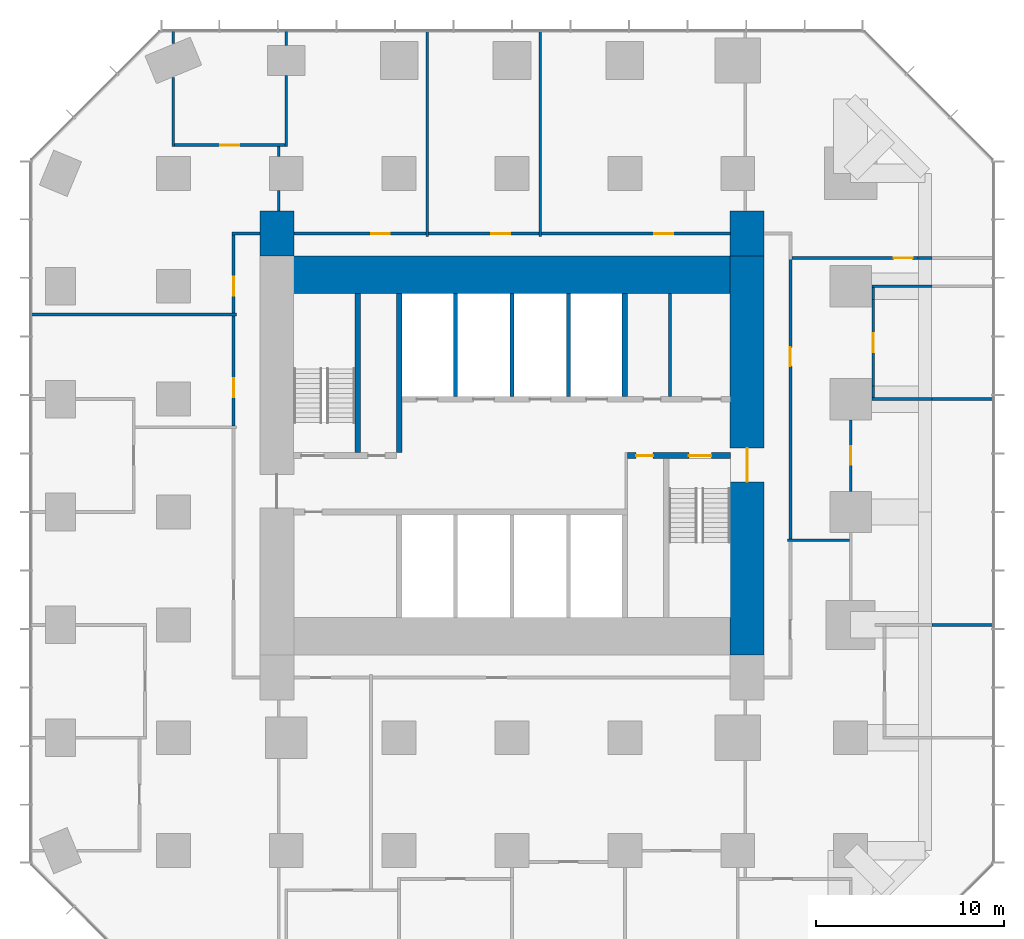
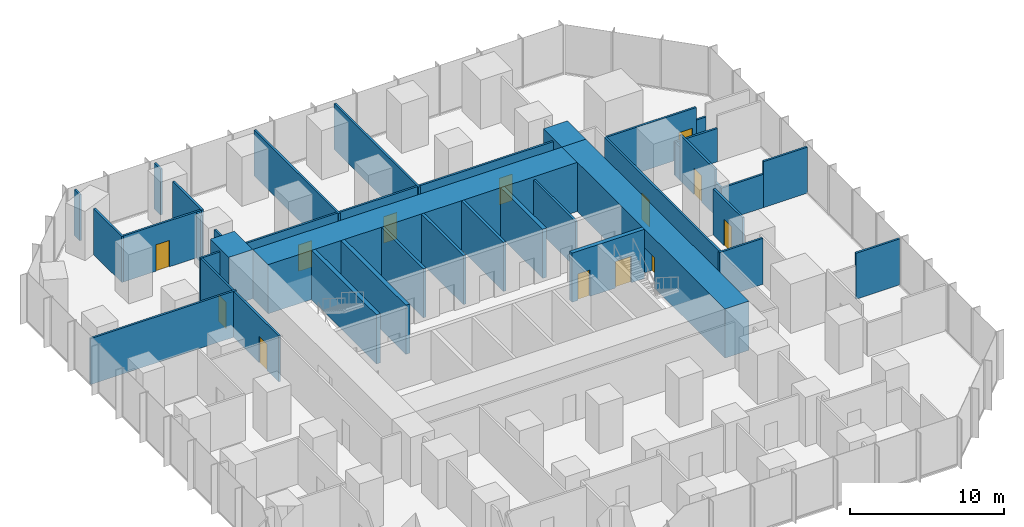
# One storey, part 10 of 12: 40 walls, 13 doors, 13 openings.
"""IFC4 building model written with IfcOpenShell, lengths in metres."""

import ifcopenshell
import ifcopenshell.guid

model = None  # the IFC model being written
_history = None  # IfcOwnerHistory: only IFC2X3 demands one
_inside = {}  # id of a spatial element -> (the spatial element, [elements in it])
_under = {}  # id of a project, library or spatial element -> (it, [spatial elements below it])
_declared = {}  # id of a project -> (the project, [libraries it declares])
_typed = {}  # id of a type object -> (the type object, [elements of that type])
_made_of = {}  # id of a material, layer set ... -> (it, [elements and type objects made of it])


def new_model(schema):
    """Start an empty IFC model of exactly this schema.

    Asked for "IFC4X3", IfcOpenShell would pick the latest addendum, in which some entities
    have other attributes; the version numbers below select the first issue.
    IFC2X3 requires an IfcOwnerHistory on every rooted entity: one is made here for all.
    """
    global model, _history
    if schema == "IFC4X3":
        model = ifcopenshell.file(schema_version=(4, 3, 0, 0))
    else:
        model = ifcopenshell.file(schema=schema)
    _inside.clear()
    _under.clear()
    _declared.clear()
    _typed.clear()
    _made_of.clear()
    _history = None
    if model.schema == "IFC2X3":
        org = make("IfcOrganization", Name="unknown")
        user = make(
            "IfcPersonAndOrganization",
            ThePerson=make("IfcPerson", FamilyName="unknown"),
            TheOrganization=org,
        )
        app = make(
            "IfcApplication",
            ApplicationDeveloper=org,
            Version="unknown",
            ApplicationFullName="unknown",
            ApplicationIdentifier="unknown",
        )
        _history = make(
            "IfcOwnerHistory",
            OwningUser=user,
            OwningApplication=app,
            ChangeAction="ADDED",
            CreationDate=0,
        )
    return model


def make(cls, **values):
    """One entity of the class cls with the attributes given. An attribute that is None is left unset."""
    return model.create_entity(
        cls, **{name: value for name, value in values.items() if value is not None}
    )


def rooted(cls, **values):
    """An entity with a GlobalId (a new one), such as an element, a storey or a relation."""
    return make(cls, GlobalId=ifcopenshell.guid.new(), OwnerHistory=_history, **values)


def si_unit(unit_type, name, prefix=None):
    """IfcSIUnit, for example si_unit("LENGTHUNIT", "METRE", prefix="MILLI")."""
    return make("IfcSIUnit", UnitType=unit_type, Prefix=prefix, Name=name)


def assignment(units):
    """IfcUnitAssignment: the units of a project."""
    return None if units is None else make("IfcUnitAssignment", Units=units)


def point(xyz):
    """IfcCartesianPoint."""
    return None if xyz is None else make("IfcCartesianPoint", Coordinates=xyz)


def direction(xyz):
    """IfcDirection."""
    return None if xyz is None else make("IfcDirection", DirectionRatios=xyz)


def frame(location, z_axis=None, x_axis=None):
    """IfcAxis2Placement3D, a coordinate frame: its origin and axes. An axis left out is left unset."""
    return make(
        "IfcAxis2Placement3D",
        Location=point(location),
        Axis=direction(z_axis),
        RefDirection=direction(x_axis),
    )


def frame_2d(location, x_axis=None):
    """IfcAxis2Placement2D, a coordinate frame in the plane: its origin and x axis."""
    return make(
        "IfcAxis2Placement2D", Location=point(location), RefDirection=direction(x_axis)
    )


def origin():
    """The frame at (0, 0, 0) with its axes left unset."""
    return frame((0.0, 0.0, 0.0))


def place(relative_to, where):
    """IfcLocalPlacement: puts the frame where relative to a parent placement (None: the world)."""
    return make(
        "IfcLocalPlacement", PlacementRelTo=relative_to, RelativePlacement=where
    )


def context(
    kind, dimensions, precision=None, world=None, true_north=None, identifier=None
):
    """IfcGeometricRepresentationContext, for example the 3D "Model" context."""
    return make(
        "IfcGeometricRepresentationContext",
        ContextIdentifier=identifier,
        ContextType=kind,
        CoordinateSpaceDimension=dimensions,
        Precision=precision,
        WorldCoordinateSystem=world,
        TrueNorth=true_north,
    )


def subcontext(parent, identifier, kind, view, scale=None):
    """IfcGeometricRepresentationSubContext, for example "Body" below "Model"."""
    return make(
        "IfcGeometricRepresentationSubContext",
        ContextIdentifier=identifier,
        ContextType=kind,
        ParentContext=parent,
        TargetScale=scale,
        TargetView=view,
    )


def project(units=None, contexts=None):
    """IfcProject with its units and contexts."""
    return rooted(
        "IfcProject",
        Name="project",
        RepresentationContexts=contexts,
        UnitsInContext=assignment(units),
    )


def spatial(cls, under=None, at=None, **own):
    """A site, building, storey or space (cls), placed at a placement, below another one or the project."""
    s = rooted(cls, ObjectPlacement=at, **own)
    if under is not None:
        _under.setdefault(under.id(), (under, []))[1].append(s)
    return s


def profile(cls, at=None, kind="AREA", **sizes):
    """A parametric profile (cls). Its sizes go by their IFC names, for example OverallWidth=200.0."""
    return make(cls, ProfileType=kind, Position=at, **sizes)


def rectangle(**sizes):
    """IfcRectangleProfileDef."""
    return profile("IfcRectangleProfileDef", **sizes)


def extrude(swept, where, along, depth):
    """IfcExtrudedAreaSolid: the profile swept, set in the frame where, extruded along a direction by depth."""
    return make(
        "IfcExtrudedAreaSolid",
        SweptArea=swept,
        Position=where,
        ExtrudedDirection=direction(along),
        Depth=depth,
    )


def shape(context_of_items, identifier, shape_type, items):
    """IfcShapeRepresentation: the items that make up one representation, for example the "Body"."""
    return make(
        "IfcShapeRepresentation",
        ContextOfItems=context_of_items,
        RepresentationIdentifier=identifier,
        RepresentationType=shape_type,
        Items=items,
    )


def material(Name=None, Category=None):
    """IfcMaterial."""
    return make("IfcMaterial", Name=Name, Category=Category)


def layer(
    of_material, thickness, ventilated=None, Name=None, Category=None, Priority=None
):
    """IfcMaterialLayer: one layer of a wall or slab, of a material (None: an air gap)."""
    return make(
        "IfcMaterialLayer",
        Material=of_material,
        LayerThickness=thickness,
        IsVentilated=ventilated,
        Name=Name,
        Category=Category,
        Priority=Priority,
    )


def layer_set(layers, Name=None):
    """IfcMaterialLayerSet."""
    return make("IfcMaterialLayerSet", MaterialLayers=layers, LayerSetName=Name)


def made_of(thing, what):
    """Note that an element or type object is made of a material, layer set ...; save() writes the relation."""
    if what is not None:
        _made_of.setdefault(what.id(), (what, []))[1].append(thing)
    return thing


def type_object(cls, material=None, **own):
    """A type object (cls), such as IfcWallType, which elements share."""
    return made_of(rooted(cls, **own), material)


def element(
    cls,
    number,
    at=None,
    inside=None,
    cuts=None,
    type_object=None,
    material=None,
    context=None,
    identifier="Body",
    shape_type=None,
    held_by="IfcProductDefinitionShape",
    body=None,
    shapes=None,
    **own,
):
    """One element of the class cls, such as IfcWall. Its Tag is "e" and its number.

    at: its placement. inside: the storey or other place that contains it. cuts: it is an
    opening in that element (IfcRelVoidsElement). A single representation is given by context,
    identifier, shape_type and body (its items); several are given by shapes. held_by: the class
    of the entity that holds the representations. save() writes the other relations.
    """
    e = rooted(cls, Tag="e%d" % number, ObjectPlacement=at, **own)
    if body is not None:
        shapes = [shape(context, identifier, shape_type, body)]
    if shapes is not None:
        e.Representation = make(held_by, Representations=shapes)
    if inside is not None:
        _inside.setdefault(inside.id(), (inside, []))[1].append(e)
    if cuts is not None:
        rooted(
            "IfcRelVoidsElement", RelatingBuildingElement=cuts, RelatedOpeningElement=e
        )
    if type_object is not None:
        _typed.setdefault(type_object.id(), (type_object, []))[1].append(e)
    return made_of(e, material)


def fill(opening, filler):
    """IfcRelFillsElement: the door or window that sits in an opening."""
    return rooted(
        "IfcRelFillsElement",
        RelatingOpeningElement=opening,
        RelatedBuildingElement=filler,
    )


def aggregate(whole, parts):
    """IfcRelAggregates: a whole, such as a stair, and the parts it consists of."""
    return rooted("IfcRelAggregates", RelatingObject=whole, RelatedObjects=parts)


def save(model, path):
    """Write the relations noted so far, then the file.

    IfcRelAggregates (storeys below a building ...), IfcRelContainedInSpatialStructure (elements
    in a storey), IfcRelDefinesByType, IfcRelAssociatesMaterial and IfcRelDeclares: one each for
    every whole, place, type object, material and project.
    """
    for whole, parts in _under.values():
        aggregate(whole, parts)
    for where, things in _inside.values():
        rooted(
            "IfcRelContainedInSpatialStructure",
            RelatedElements=things,
            RelatingStructure=where,
        )
    for kind, things in _typed.values():
        rooted("IfcRelDefinesByType", RelatedObjects=things, RelatingType=kind)
    for what, things in _made_of.values():
        rooted("IfcRelAssociatesMaterial", RelatedObjects=things, RelatingMaterial=what)
    for by, libraries in _declared.values():
        rooted("IfcRelDeclares", RelatingContext=by, RelatedDefinitions=libraries)
    model.write(path)


model = new_model("IFC4")

# Units and contexts
model_context = context("Model", 3, precision=1e-05, world=origin(), true_north=direction((0.0, 1.0)))
body_context = subcontext(model_context, "Body", "Model", "MODEL_VIEW")
ifc_project = project(units=[si_unit("LENGTHUNIT", "METRE"), si_unit("AREAUNIT", "SQUARE_METRE"), si_unit("VOLUMEUNIT", "CUBIC_METRE"), si_unit("PLANEANGLEUNIT", "RADIAN"), si_unit("MASSUNIT", "GRAM", prefix="KILO")], contexts=[model_context])

# Site, building, storey
site_placement = place(None, origin())
site = spatial("IfcSite", under=ifc_project, at=site_placement, CompositionType="ELEMENT")
building_placement = place(site_placement, origin())
building = spatial("IfcBuilding", under=site, at=building_placement, Name="Highveld Stack Headquarters", CompositionType="ELEMENT")
storey_placement = place(building_placement, frame((0.0, 0.0, 49.39990234375)))
storey = spatial("IfcBuildingStorey", under=building, at=storey_placement, Name="L11", CompositionType="ELEMENT", Elevation=49.39990234375)

# Wall, opening, door
ifc_material_1 = material(Name="Concrete C60/75", Category="concrete")
ifc_layer_1 = layer(ifc_material_1, 1.800048828125)
ifc_layer_set_1 = layer_set([ifc_layer_1], Name="Concrete C60/75")
wall_type_1 = type_object("IfcWallType", Name="CORE WALL 1800 C60/75", PredefinedType="SHEAR", material=ifc_layer_set_1)
wall_1_placement = place(storey_placement, frame((18.5, -7.60009765625, 0.0), z_axis=(0.0, 0.0, 1.0), x_axis=(0.0, 1.0, 0.0)))
wall_1 = element("IfcWall", 1, at=wall_1_placement, inside=storey, type_object=wall_type_1, Name="Core wall E L11", PredefinedType="SHEAR", context=body_context, shape_type="SweptSolid", body=[
    extrude(rectangle(XDim=21.2001953125, YDim=1.800048828125, at=frame_2d((10.60009765625, 0.0))), origin(), (0.0, 0.0, 1.0), 3.900146484375),
])
opening_1_placement = place(wall_1_placement, frame((9.199951171875, 0.0, 0.0)))
opening_1 = element("IfcOpeningElement", 2, at=opening_1_placement, cuts=wall_1, Name="Opening L11-02", PredefinedType="OPENING", context=body_context, shape_type="SweptSolid", body=[
    extrude(rectangle(XDim=1.800048828125, YDim=2.39990234375, at=frame_2d((0.89990234375, 1.199951171875))), frame((0.0, 0.909912109375, 0.0), z_axis=(0.0, -1.0, 0.0), x_axis=(1.0, 0.0, 0.0)), (0.0, 0.0, 1.0), 1.820068359375),
])
ifc_material_2 = material(Name="Steel fire door", Category="steel")
door_type_1 = type_object("IfcDoorType", Name="LOBBY FIRE DOOR D4 1800x2400", OperationType="DOUBLE_DOOR_SINGLE_SWING", PredefinedType="DOOR", material=ifc_material_2)
door_1_placement = place(opening_1_placement, origin())
door_1 = element("IfcDoor", 3, at=door_1_placement, inside=storey, type_object=door_type_1, Name="Core east door L11", OperationType="DOUBLE_DOOR_SINGLE_SWING", OverallHeight=2.39990234375, OverallWidth=1.800048828125, PredefinedType="DOOR", context=body_context, shape_type="SweptSolid", body=[
    extrude(rectangle(XDim=1.800048828125, YDim=2.39990234375, at=frame_2d((0.89990234375, 1.199951171875))), frame((0.0, 0.02490234375, 0.0), z_axis=(0.0, -1.0, 0.0), x_axis=(1.0, 0.0, 0.0)), (0.0, 0.0, 1.0), 0.050048828125),
])
fill(opening_1, door_1)

# Wall
ifc_material_3 = material(Name="Concrete C60/75", Category="concrete")
ifc_layer_2 = layer(ifc_material_3, 2.0)
ifc_layer_set_2 = layer_set([ifc_layer_2], Name="Concrete C60/75")
wall_type_2 = type_object("IfcWallType", Name="CORE WALL 2000 C60/75", PredefinedType="SHEAR", material=ifc_layer_set_2)
wall_2_placement = place(storey_placement, frame((-5.60009765625, 12.60009765625, 0.0), z_axis=(0.0, 0.0, 1.0), x_axis=(1.0, 0.0, 0.0)))
element("IfcWall", 4, at=wall_2_placement, inside=storey, type_object=wall_type_2, Name="Core wall N L11", PredefinedType="SHEAR", context=body_context, shape_type="SweptSolid", body=[
    extrude(rectangle(XDim=23.2001953125, YDim=2.0, at=frame_2d((11.60009765625, 0.0))), origin(), (0.0, 0.0, 1.0), 3.900146484375),
])

# Wall, openings, doors
ifc_material_4 = material(Name="Concrete C60/75", Category="concrete")
ifc_layer_3 = layer(ifc_material_4, 0.300048828125)
ifc_layer_set_3 = layer_set([ifc_layer_3], Name="Concrete C60/75")
wall_type_3 = type_object("IfcWallType", Name="CORE WALL 300 C60/75", PredefinedType="SHEAR", material=ifc_layer_set_3)
wall_3_placement = place(storey_placement, frame((12.14990234375, 3.0, 0.0), z_axis=(0.0, 0.0, 1.0), x_axis=(1.0, 0.0, 0.0)))
wall_3 = element("IfcWall", 5, at=wall_3_placement, inside=storey, type_object=wall_type_3, Name="Core wall I-Y3E L11", PredefinedType="SHEAR", context=body_context, shape_type="SweptSolid", body=[
    extrude(rectangle(XDim=5.4501953125, YDim=0.300048828125, at=frame_2d((2.72509765625, 0.0))), origin(), (0.0, 0.0, 1.0), 3.900146484375),
])
opening_2_placement = place(wall_3_placement, frame((3.25, 0.0, 0.0)))
opening_2 = element("IfcOpeningElement", 6, at=opening_2_placement, cuts=wall_3, Name="Opening L11-05", PredefinedType="OPENING", context=body_context, shape_type="SweptSolid", body=[
    extrude(rectangle(XDim=1.199951171875, YDim=2.10009765625, at=frame_2d((0.60009765625, 1.050048828125))), frame((0.0, 0.159912109375, 0.0), z_axis=(0.0, -1.0, 0.0), x_axis=(1.0, 0.0, 0.0)), (0.0, 0.0, 1.0), 0.320068359375),
])
opening_3_placement = place(wall_3_placement, frame((0.449951171875, 0.0, 0.0)))
opening_3 = element("IfcOpeningElement", 7, at=opening_3_placement, cuts=wall_3, Name="Opening L11-06", PredefinedType="OPENING", context=body_context, shape_type="SweptSolid", body=[
    extrude(rectangle(XDim=0.89990234375, YDim=2.10009765625, at=frame_2d((0.449951171875, 1.050048828125))), frame((0.0, 0.159912109375, 0.0), z_axis=(0.0, -1.0, 0.0), x_axis=(1.0, 0.0, 0.0)), (0.0, 0.0, 1.0), 0.320068359375),
])
ifc_material_5 = material(Name="Steel fire door", Category="steel")
door_type_2 = type_object("IfcDoorType", Name="RISER ACCESS DOOR D5 900x2100", OperationType="SINGLE_SWING_LEFT", PredefinedType="DOOR", material=ifc_material_5)
door_2_placement = place(opening_3_placement, origin())
door_2 = element("IfcDoor", 8, at=door_2_placement, inside=storey, type_object=door_type_2, Name="Riser R2 door L11", OperationType="SINGLE_SWING_LEFT", OverallHeight=2.10009765625, OverallWidth=0.89990234375, PredefinedType="DOOR", context=body_context, shape_type="SweptSolid", body=[
    extrude(rectangle(XDim=0.89990234375, YDim=2.10009765625, at=frame_2d((0.449951171875, 1.050048828125))), frame((0.0, 0.02490234375, 0.0), z_axis=(0.0, -1.0, 0.0), x_axis=(1.0, 0.0, 0.0)), (0.0, 0.0, 1.0), 0.050048828125),
])
fill(opening_3, door_2)
ifc_material_6 = material(Name="Steel fire door", Category="steel")
door_type_3 = type_object("IfcDoorType", Name="STAIR FIRE DOOR D3 1200x2100", OperationType="SINGLE_SWING_LEFT", PredefinedType="DOOR", material=ifc_material_6)
door_3_placement = place(opening_2_placement, origin())
door_3 = element("IfcDoor", 9, at=door_3_placement, inside=storey, type_object=door_type_3, Name="Stair S2 door L11", OperationType="SINGLE_SWING_RIGHT", OverallHeight=2.10009765625, OverallWidth=1.199951171875, PredefinedType="DOOR", context=body_context, shape_type="SweptSolid", body=[
    extrude(rectangle(XDim=1.199951171875, YDim=2.10009765625, at=frame_2d((0.60009765625, 1.050048828125))), frame((0.0, 0.02490234375, 0.0), z_axis=(0.0, -1.0, 0.0), x_axis=(1.0, 0.0, 0.0)), (0.0, 0.0, 1.0), 0.050048828125),
])
fill(opening_2, door_3)

# Walls
wall_4_placement = place(storey_placement, frame((0.0, 3.14990234375, 0.0), z_axis=(0.0, 0.0, 1.0), x_axis=(0.0, 1.0, 0.0)))
element("IfcWall", 10, at=wall_4_placement, inside=storey, type_object=wall_type_3, Name="Core wall I-X0N L11", PredefinedType="SHEAR", context=body_context, shape_type="SweptSolid", body=[
    extrude(rectangle(XDim=8.4501953125, YDim=0.300048828125, at=frame_2d((4.22509765625, 0.0))), origin(), (0.0, 0.0, 1.0), 3.900146484375),
])
wall_5_placement = place(storey_placement, frame((12.0, 6.14990234375, 0.0), z_axis=(0.0, 0.0, 1.0), x_axis=(0.0, 1.0, 0.0)))
element("IfcWall", 11, at=wall_5_placement, inside=storey, type_object=wall_type_3, Name="Core wall I-X12N L11", PredefinedType="SHEAR", context=body_context, shape_type="SweptSolid", body=[
    extrude(rectangle(XDim=5.4501953125, YDim=0.300048828125, at=frame_2d((2.72509765625, 0.0))), origin(), (0.0, 0.0, 1.0), 3.900146484375),
])
wall_6_placement = place(storey_placement, frame((-2.199951171875, 3.14990234375, 0.0), z_axis=(0.0, 0.0, 1.0), x_axis=(0.0, 1.0, 0.0)))
element("IfcWall", 12, at=wall_6_placement, inside=storey, type_object=wall_type_3, Name="Core wall I-RW L11", PredefinedType="SHEAR", context=body_context, shape_type="SweptSolid", body=[
    extrude(rectangle(XDim=8.4501953125, YDim=0.300048828125, at=frame_2d((4.22509765625, 0.0))), origin(), (0.0, 0.0, 1.0), 3.900146484375),
])
ifc_material_7 = material(Name="Concrete C60/75", Category="concrete")
ifc_layer_4 = layer(ifc_material_7, 1.800048828125)
ifc_layer_set_4 = layer_set([ifc_layer_4], Name="Concrete C60/75")
wall_type_4 = type_object("IfcWallType", Name="CORE WING WALL 1800 C60/75", PredefinedType="SHEAR", material=ifc_layer_set_4)
for number, where, z_axis, x_axis, name in (
    (13, (-6.5, 13.60009765625, 0.0), (0.0, 0.0, 1.0), (0.0, 1.0, 0.0), "Core wing wall WN L11"),
    (14, (18.5, 13.60009765625, 0.0), (0.0, 0.0, 1.0), (0.0, 1.0, 0.0), "Core wing wall EN L11"),
):
    element("IfcWall", number, at=place(storey_placement, frame(where, z_axis=z_axis, x_axis=x_axis)), inside=storey, type_object=wall_type_4, Name=name, PredefinedType="SHEAR", context=body_context, shape_type="SweptSolid", body=[
        extrude(rectangle(XDim=2.39990234375, YDim=1.800048828125, at=frame_2d((1.199951171875, 0.0))), origin(), (0.0, 0.0, 1.0), 3.900146484375),
    ])
ifc_material_8 = material(Name="Concrete blockwork, fair-faced", Category="masonry")
ifc_layer_5 = layer(ifc_material_8, 0.199951171875)
ifc_layer_set_5 = layer_set([ifc_layer_5], Name="Concrete blockwork, fair-faced")
wall_type_5 = type_object("IfcWallType", Name="LIFT SHAFT ENCLOSURE WALL 200 BLOCKWORK", PredefinedType="SOLIDWALL", material=ifc_layer_set_5)
for number, where, z_axis, x_axis, name in (
    (15, (3.0, 6.14990234375, 0.0), (0.0, 0.0, 1.0), (0.0, 1.0, 0.0), "Lift shaft wall L11"),
    (16, (6.0, 6.14990234375, 0.0), (0.0, 0.0, 1.0), (0.0, 1.0, 0.0), "Lift shaft wall L11"),
    (17, (9.0, 6.14990234375, 0.0), (0.0, 0.0, 1.0), (0.0, 1.0, 0.0), "Lift shaft wall L11"),
):
    element("IfcWall", number, at=place(storey_placement, frame(where, z_axis=z_axis, x_axis=x_axis)), inside=storey, type_object=wall_type_5, Name=name, PredefinedType="SOLIDWALL", context=body_context, shape_type="SweptSolid", body=[
        extrude(rectangle(XDim=5.4501953125, YDim=0.199951171875, at=frame_2d((2.72509765625, 0.0))), origin(), (0.0, 0.0, 1.0), 3.900146484375),
    ])
ifc_material_9 = material(Name="Gypsum plasterboard on steel studs", Category="steel")
ifc_layer_6 = layer(ifc_material_9, 0.14990234375)
ifc_layer_set_6 = layer_set([ifc_layer_6], Name="Gypsum plasterboard on steel studs")
wall_type_6 = type_object("IfcWallType", Name="PARTITION 150 PLASTERBOARD", PredefinedType="PARTITIONING", material=ifc_layer_set_6)
wall_7_placement = place(storey_placement, frame((28.31005859375, -6.0, 0.0), z_axis=(0.0, 0.0, 1.0), x_axis=(1.0, 0.0, 0.0)))
element("IfcWall", 18, at=wall_7_placement, inside=storey, type_object=wall_type_6, Name="Partition Print room / Team office L11", PredefinedType="PARTITIONING", context=body_context, shape_type="SweptSolid", body=[
    extrude(rectangle(XDim=3.2900390625, YDim=0.14990234375, at=frame_2d((1.64501953125, 0.0))), origin(), (0.0, 0.0, 1.0), 3.650146484375),
])
wall_8_placement = place(storey_placement, frame((25.125, 6.0, 0.0), z_axis=(0.0, 0.0, 1.0), x_axis=(1.0, 0.0, 0.0)))
element("IfcWall", 19, at=wall_8_placement, inside=storey, type_object=wall_type_6, Name="Partition Tea kitchen / Team office L11", PredefinedType="PARTITIONING", context=body_context, shape_type="SweptSolid", body=[
    extrude(rectangle(XDim=3.18505859375, YDim=0.14990234375, at=frame_2d((1.592529296875, 0.0))), origin(), (0.0, 0.0, 1.0), 2.650146484375),
])
wall_9_placement = place(storey_placement, frame((28.31005859375, 6.0, 0.0), z_axis=(0.0, 0.0, 1.0), x_axis=(1.0, 0.0, 0.0)))
element("IfcWall", 20, at=wall_9_placement, inside=storey, type_object=wall_type_6, Name="Partition Tea kitchen / Team office L11", PredefinedType="PARTITIONING", context=body_context, shape_type="SweptSolid", body=[
    extrude(rectangle(XDim=3.2900390625, YDim=0.14990234375, at=frame_2d((1.64501953125, 0.0))), origin(), (0.0, 0.0, 1.0), 3.650146484375),
])
wall_10_placement = place(storey_placement, frame((25.125, 12.0, 0.0), z_axis=(0.0, 0.0, 1.0), x_axis=(1.0, 0.0, 0.0)))
element("IfcWall", 21, at=wall_10_placement, inside=storey, type_object=wall_type_6, Name="Partition Tea kitchen L11", PredefinedType="PARTITIONING", context=body_context, shape_type="SweptSolid", body=[
    extrude(rectangle(XDim=3.18505859375, YDim=0.14990234375, at=frame_2d((1.592529296875, 0.0))), origin(), (0.0, 0.0, 1.0), 2.650146484375),
])

# Wall, opening, door
wall_11_placement = place(storey_placement, frame((-11.925048828125, 19.5, 0.0), z_axis=(0.0, 0.0, 1.0), x_axis=(1.0, 0.0, 0.0)))
wall_11 = element("IfcWall", 22, at=wall_11_placement, inside=storey, type_object=wall_type_6, Name="Partition Quiet room L11", PredefinedType="PARTITIONING", context=body_context, shape_type="SweptSolid", body=[
    extrude(rectangle(XDim=5.85009765625, YDim=0.14990234375, at=frame_2d((2.925048828125, 0.0))), origin(), (0.0, 0.0, 1.0), 3.650146484375),
])
opening_4_placement = place(wall_11_placement, frame((2.425048828125, 0.0, 0.0)))
opening_4 = element("IfcOpeningElement", 23, at=opening_4_placement, cuts=wall_11, Name="Opening L11-21", PredefinedType="OPENING", context=body_context, shape_type="SweptSolid", body=[
    extrude(rectangle(XDim=1.0, YDim=2.10009765625, at=frame_2d((0.5, 1.050048828125))), frame((0.0, 0.0849609375, 0.0), z_axis=(0.0, -1.0, 0.0), x_axis=(1.0, 0.0, 0.0)), (0.0, 0.0, 1.0), 0.169921875),
])
ifc_material_10 = material(Name="Timber door, oiled ash", Category="wood")
door_type_4 = type_object("IfcDoorType", Name="ROOM DOOR D6 1000x2100", OperationType="SINGLE_SWING_LEFT", PredefinedType="DOOR", material=ifc_material_10)
door_4_placement = place(opening_4_placement, origin())
door_4 = element("IfcDoor", 24, at=door_4_placement, inside=storey, type_object=door_type_4, Name="Quiet room door 1 L11", OperationType="SINGLE_SWING_RIGHT", OverallHeight=2.10009765625, OverallWidth=1.0, PredefinedType="DOOR", context=body_context, shape_type="SweptSolid", body=[
    extrude(rectangle(XDim=1.0, YDim=2.10009765625, at=frame_2d((0.5, 1.050048828125))), frame((0.0, 0.02490234375, 0.0), z_axis=(0.0, -1.0, 0.0), x_axis=(1.0, 0.0, 0.0)), (0.0, 0.0, 1.0), 0.050048828125),
])
fill(opening_4, door_4)

# Walls
wall_12_placement = place(storey_placement, frame((-12.0, 19.425048828125, 0.0), z_axis=(0.0, 0.0, 1.0), x_axis=(0.0, 1.0, 0.0)))
element("IfcWall", 25, at=wall_12_placement, inside=storey, type_object=wall_type_6, Name="Partition Quiet room L11", PredefinedType="PARTITIONING", context=body_context, shape_type="SweptSolid", body=[
    extrude(rectangle(XDim=3.677978515625, YDim=0.14990234375, at=frame_2d((1.8388671875, 0.0))), origin(), (0.0, 0.0, 1.0), 3.650146484375),
])
wall_13_placement = place(storey_placement, frame((-12.0, 24.89697265625, 0.0), z_axis=(0.0, 0.0, 1.0), x_axis=(0.0, 1.0, 0.0)))
element("IfcWall", 26, at=wall_13_placement, inside=storey, type_object=wall_type_6, Name="Partition Quiet room L11", PredefinedType="PARTITIONING", context=body_context, shape_type="SweptSolid", body=[
    extrude(rectangle(XDim=0.703125, YDim=0.14990234375, at=frame_2d((0.3515625, 0.0))), origin(), (0.0, 0.0, 1.0), 3.650146484375),
])
wall_14_placement = place(storey_placement, frame((-6.0, 19.425048828125, 0.0), z_axis=(0.0, 0.0, 1.0), x_axis=(0.0, 1.0, 0.0)))
element("IfcWall", 27, at=wall_14_placement, inside=storey, type_object=wall_type_6, Name="Partition Quiet room L11", PredefinedType="PARTITIONING", context=body_context, shape_type="SweptSolid", body=[
    extrude(rectangle(XDim=3.77490234375, YDim=0.14990234375, at=frame_2d((1.887451171875, 0.0))), origin(), (0.0, 0.0, 1.0), 3.650146484375),
])
wall_15_placement = place(storey_placement, frame((-6.0, 24.800048828125, 0.0), z_axis=(0.0, 0.0, 1.0), x_axis=(0.0, 1.0, 0.0)))
element("IfcWall", 28, at=wall_15_placement, inside=storey, type_object=wall_type_6, Name="Partition Quiet room L11", PredefinedType="PARTITIONING", context=body_context, shape_type="SweptSolid", body=[
    extrude(rectangle(XDim=0.800048828125, YDim=0.14990234375, at=frame_2d((0.39990234375, 0.0))), origin(), (0.0, 0.0, 1.0), 3.650146484375),
])

# Wall, opening, door
wall_16_placement = place(storey_placement, frame((24.0, 1.10009765625, 0.0), z_axis=(0.0, 0.0, 1.0), x_axis=(0.0, 1.0, 0.0)))
wall_16 = element("IfcWall", 29, at=wall_16_placement, inside=storey, type_object=wall_type_6, Name="Partition Team office L11", PredefinedType="PARTITIONING", context=body_context, shape_type="SweptSolid", body=[
    extrude(rectangle(XDim=3.7998046875, YDim=0.14990234375, at=frame_2d((1.89990234375, 0.0))), origin(), (0.0, 0.0, 1.0), 3.650146484375),
])
opening_5_placement = place(wall_16_placement, frame((1.39990234375, 0.0, 0.0)))
opening_5 = element("IfcOpeningElement", 30, at=opening_5_placement, cuts=wall_16, Name="Opening L11-19", PredefinedType="OPENING", context=body_context, shape_type="SweptSolid", body=[
    extrude(rectangle(XDim=1.0, YDim=2.10009765625, at=frame_2d((0.5, 1.050048828125))), frame((0.0, 0.0849609375, 0.0), z_axis=(0.0, -1.0, 0.0), x_axis=(1.0, 0.0, 0.0)), (0.0, 0.0, 1.0), 0.169921875),
])
door_5_placement = place(opening_5_placement, origin())
door_5 = element("IfcDoor", 31, at=door_5_placement, inside=storey, type_object=door_type_4, Name="Team office door 1 L11", OperationType="SINGLE_SWING_RIGHT", OverallHeight=2.10009765625, OverallWidth=1.0, PredefinedType="DOOR", context=body_context, shape_type="SweptSolid", body=[
    extrude(rectangle(XDim=1.0, YDim=2.10009765625, at=frame_2d((0.5, 1.050048828125))), frame((0.0, 0.02490234375, 0.0), z_axis=(0.0, -1.0, 0.0), x_axis=(1.0, 0.0, 0.0)), (0.0, 0.0, 1.0), 0.050048828125),
])
fill(opening_5, door_5)

# Wall
wall_17_placement = place(storey_placement, frame((25.199951171875, 6.074951171875, 0.0), z_axis=(0.0, 0.0, 1.0), x_axis=(0.0, 1.0, 0.0)))
element("IfcWall", 32, at=wall_17_placement, inside=storey, type_object=wall_type_6, Name="Partition Tea kitchen L11", PredefinedType="PARTITIONING", context=body_context, shape_type="SweptSolid", body=[
    extrude(rectangle(XDim=0.635009765625, YDim=0.14990234375, at=frame_2d((0.3173828125, 0.0))), origin(), (0.0, 0.0, 1.0), 2.650146484375),
])

# Wall, opening, door
wall_18_placement = place(storey_placement, frame((25.199951171875, 6.7099609375, 0.0), z_axis=(0.0, 0.0, 1.0), x_axis=(0.0, 1.0, 0.0)))
wall_18 = element("IfcWall", 33, at=wall_18_placement, inside=storey, type_object=wall_type_6, Name="Partition Tea kitchen L11", PredefinedType="PARTITIONING", context=body_context, shape_type="SweptSolid", body=[
    extrude(rectangle(XDim=4.580078125, YDim=0.14990234375, at=frame_2d((2.2900390625, 0.0))), origin(), (0.0, 0.0, 1.0), 3.650146484375),
])
opening_6_placement = place(wall_18_placement, frame((1.7900390625, 0.0, 0.0)))
opening_6 = element("IfcOpeningElement", 34, at=opening_6_placement, cuts=wall_18, Name="Opening L11-20", PredefinedType="OPENING", context=body_context, shape_type="SweptSolid", body=[
    extrude(rectangle(XDim=1.0, YDim=2.10009765625, at=frame_2d((0.5, 1.050048828125))), frame((0.0, 0.0849609375, 0.0), z_axis=(0.0, -1.0, 0.0), x_axis=(1.0, 0.0, 0.0)), (0.0, 0.0, 1.0), 0.169921875),
])
door_6_placement = place(opening_6_placement, origin())
door_6 = element("IfcDoor", 35, at=door_6_placement, inside=storey, type_object=door_type_4, Name="Tea kitchen door 1 L11", OperationType="SINGLE_SWING_LEFT", OverallHeight=2.10009765625, OverallWidth=1.0, PredefinedType="DOOR", context=body_context, shape_type="SweptSolid", body=[
    extrude(rectangle(XDim=1.0, YDim=2.10009765625, at=frame_2d((0.5, 1.050048828125))), frame((0.0, 0.02490234375, 0.0), z_axis=(0.0, -1.0, 0.0), x_axis=(1.0, 0.0, 0.0)), (0.0, 0.0, 1.0), 0.050048828125),
])
fill(opening_6, door_6)

# Walls
wall_19_placement = place(storey_placement, frame((25.199951171875, 11.2900390625, 0.0), z_axis=(0.0, 0.0, 1.0), x_axis=(0.0, 1.0, 0.0)))
element("IfcWall", 36, at=wall_19_placement, inside=storey, type_object=wall_type_6, Name="Partition Tea kitchen L11", PredefinedType="PARTITIONING", context=body_context, shape_type="SweptSolid", body=[
    extrude(rectangle(XDim=0.635009765625, YDim=0.14990234375, at=frame_2d((0.3173828125, 0.0))), origin(), (0.0, 0.0, 1.0), 2.650146484375),
])
wall_20_placement = place(storey_placement, frame((-19.60009765625, 10.5, 0.0), z_axis=(0.0, 0.0, 1.0), x_axis=(1.0, 0.0, 0.0)))
element("IfcWall", 37, at=wall_20_placement, inside=storey, type_object=wall_type_6, Name="Partition office neighbourhood L11", PredefinedType="PARTITIONING", context=body_context, shape_type="SweptSolid", body=[
    extrude(rectangle(XDim=10.9501953125, YDim=0.14990234375, at=frame_2d((5.47509765625, 0.0))), origin(), (0.0, 0.0, 1.0), 3.650146484375),
])

# Wall, opening, door
wall_21_placement = place(storey_placement, frame((-8.800048828125, 4.574951171875, 0.0), z_axis=(0.0, 0.0, 1.0), x_axis=(0.0, 1.0, 0.0)))
wall_21 = element("IfcWall", 38, at=wall_21_placement, inside=storey, type_object=wall_type_6, Name="Partition office neighbourhood L11", PredefinedType="PARTITIONING", context=body_context, shape_type="SweptSolid", body=[
    extrude(rectangle(XDim=5.85009765625, YDim=0.14990234375, at=frame_2d((2.925048828125, 0.0))), origin(), (0.0, 0.0, 1.0), 3.650146484375),
])
opening_7_placement = place(wall_21_placement, frame((1.52490234375, 0.0, 0.0)))
opening_7 = element("IfcOpeningElement", 39, at=opening_7_placement, cuts=wall_21, Name="Opening L11-27", PredefinedType="OPENING", context=body_context, shape_type="SweptSolid", body=[
    extrude(rectangle(XDim=1.0, YDim=2.10009765625, at=frame_2d((0.5, 1.050048828125))), frame((0.0, 0.0849609375, 0.0), z_axis=(0.0, -1.0, 0.0), x_axis=(1.0, 0.0, 0.0)), (0.0, 0.0, 1.0), 0.169921875),
])
door_7_placement = place(opening_7_placement, origin())
door_7 = element("IfcDoor", 40, at=door_7_placement, inside=storey, type_object=door_type_4, Name="Office neighbourhood door L11", OperationType="SINGLE_SWING_LEFT", OverallHeight=2.10009765625, OverallWidth=1.0, PredefinedType="DOOR", context=body_context, shape_type="SweptSolid", body=[
    extrude(rectangle(XDim=1.0, YDim=2.10009765625, at=frame_2d((0.5, 1.050048828125))), frame((0.0, 0.02490234375, 0.0), z_axis=(0.0, -1.0, 0.0), x_axis=(1.0, 0.0, 0.0)), (0.0, 0.0, 1.0), 0.050048828125),
])
fill(opening_7, door_7)

wall_22_placement = place(storey_placement, frame((-8.800048828125, 10.574951171875, 0.0), z_axis=(0.0, 0.0, 1.0), x_axis=(0.0, 1.0, 0.0)))
wall_22 = element("IfcWall", 41, at=wall_22_placement, inside=storey, type_object=wall_type_6, Name="Partition office neighbourhood L11", PredefinedType="PARTITIONING", context=body_context, shape_type="SweptSolid", body=[
    extrude(rectangle(XDim=4.150146484375, YDim=0.14990234375, at=frame_2d((2.0751953125, 0.0))), origin(), (0.0, 0.0, 1.0), 3.650146484375),
])
opening_8_placement = place(wall_22_placement, frame((0.929931640625, 0.0, 0.0)))
opening_8 = element("IfcOpeningElement", 42, at=opening_8_placement, cuts=wall_22, Name="Opening L11-28", PredefinedType="OPENING", context=body_context, shape_type="SweptSolid", body=[
    extrude(rectangle(XDim=1.0, YDim=2.10009765625, at=frame_2d((0.5, 1.050048828125))), frame((0.0, 0.0849609375, 0.0), z_axis=(0.0, -1.0, 0.0), x_axis=(1.0, 0.0, 0.0)), (0.0, 0.0, 1.0), 0.169921875),
])
door_8_placement = place(opening_8_placement, origin())
door_8 = element("IfcDoor", 43, at=door_8_placement, inside=storey, type_object=door_type_4, Name="Office neighbourhood door L11", OperationType="SINGLE_SWING_LEFT", OverallHeight=2.10009765625, OverallWidth=1.0, PredefinedType="DOOR", context=body_context, shape_type="SweptSolid", body=[
    extrude(rectangle(XDim=1.0, YDim=2.10009765625, at=frame_2d((0.5, 1.050048828125))), frame((0.0, 0.02490234375, 0.0), z_axis=(0.0, -1.0, 0.0), x_axis=(1.0, 0.0, 0.0)), (0.0, 0.0, 1.0), 0.050048828125),
])
fill(opening_8, door_8)

# Walls
wall_23_placement = place(storey_placement, frame((-8.875, 14.800048828125, 0.0), z_axis=(0.0, 0.0, 1.0), x_axis=(1.0, 0.0, 0.0)))
element("IfcWall", 44, at=wall_23_placement, inside=storey, type_object=wall_type_6, Name="Partition office neighbourhood L11", PredefinedType="PARTITIONING", context=body_context, shape_type="SweptSolid", body=[
    extrude(rectangle(XDim=1.47509765625, YDim=0.14990234375, at=frame_2d((0.737548828125, 0.0))), origin(), (0.0, 0.0, 1.0), 3.650146484375),
])
wall_24_placement = place(storey_placement, frame((-6.39990234375, 16.0, 0.0), z_axis=(0.0, 0.0, 1.0), x_axis=(0.0, 1.0, 0.0)))
element("IfcWall", 45, at=wall_24_placement, inside=storey, type_object=wall_type_6, Name="Partition office neighbourhood L11", PredefinedType="PARTITIONING", context=body_context, shape_type="SweptSolid", body=[
    extrude(rectangle(XDim=1.10009765625, YDim=0.14990234375, at=frame_2d((0.550048828125, 0.0))), origin(), (0.0, 0.0, 1.0), 3.650146484375),
])
wall_25_placement = place(storey_placement, frame((-6.39990234375, 18.89990234375, 0.0), z_axis=(0.0, 0.0, 1.0), x_axis=(0.0, 1.0, 0.0)))
element("IfcWall", 46, at=wall_25_placement, inside=storey, type_object=wall_type_6, Name="Partition office neighbourhood L11", PredefinedType="PARTITIONING", context=body_context, shape_type="SweptSolid", body=[
    extrude(rectangle(XDim=0.525146484375, YDim=0.14990234375, at=frame_2d((0.2626953125, 0.0))), origin(), (0.0, 0.0, 1.0), 3.650146484375),
])

# Wall, opening, door
wall_26_placement = place(storey_placement, frame((-5.60009765625, 14.800048828125, 0.0), z_axis=(0.0, 0.0, 1.0), x_axis=(1.0, 0.0, 0.0)))
wall_26 = element("IfcWall", 47, at=wall_26_placement, inside=storey, type_object=wall_type_6, Name="Partition office neighbourhood L11", PredefinedType="PARTITIONING", context=body_context, shape_type="SweptSolid", body=[
    extrude(rectangle(XDim=7.025146484375, YDim=0.14990234375, at=frame_2d((3.5126953125, 0.0))), origin(), (0.0, 0.0, 1.0), 3.650146484375),
])
opening_9_placement = place(wall_26_placement, frame((4.114990234375, 0.0, 0.0)))
opening_9 = element("IfcOpeningElement", 48, at=opening_9_placement, cuts=wall_26, Name="Opening L11-30", PredefinedType="OPENING", context=body_context, shape_type="SweptSolid", body=[
    extrude(rectangle(XDim=1.0, YDim=2.10009765625, at=frame_2d((0.5, 1.050048828125))), frame((0.0, 0.0849609375, 0.0), z_axis=(0.0, -1.0, 0.0), x_axis=(1.0, 0.0, 0.0)), (0.0, 0.0, 1.0), 0.169921875),
])
door_9_placement = place(opening_9_placement, origin())
door_9 = element("IfcDoor", 49, at=door_9_placement, inside=storey, type_object=door_type_4, Name="Office neighbourhood door L11", OperationType="SINGLE_SWING_RIGHT", OverallHeight=2.10009765625, OverallWidth=1.0, PredefinedType="DOOR", context=body_context, shape_type="SweptSolid", body=[
    extrude(rectangle(XDim=1.0, YDim=2.10009765625, at=frame_2d((0.5, 1.050048828125))), frame((0.0, 0.02490234375, 0.0), z_axis=(0.0, -1.0, 0.0), x_axis=(1.0, 0.0, 0.0)), (0.0, 0.0, 1.0), 0.050048828125),
])
fill(opening_9, door_9)

# Wall
wall_27_placement = place(storey_placement, frame((1.5, 14.64990234375, 0.0), z_axis=(0.0, 0.0, 1.0), x_axis=(0.0, 1.0, 0.0)))
element("IfcWall", 50, at=wall_27_placement, inside=storey, type_object=wall_type_6, Name="Partition office neighbourhood L11", PredefinedType="PARTITIONING", context=body_context, shape_type="SweptSolid", body=[
    extrude(rectangle(XDim=10.9501953125, YDim=0.14990234375, at=frame_2d((5.47509765625, 0.0))), origin(), (0.0, 0.0, 1.0), 3.650146484375),
])

# Wall, opening, door
wall_28_placement = place(storey_placement, frame((1.574951171875, 14.800048828125, 0.0), z_axis=(0.0, 0.0, 1.0), x_axis=(1.0, 0.0, 0.0)))
wall_28 = element("IfcWall", 51, at=wall_28_placement, inside=storey, type_object=wall_type_6, Name="Partition office neighbourhood L11", PredefinedType="PARTITIONING", context=body_context, shape_type="SweptSolid", body=[
    extrude(rectangle(XDim=5.85009765625, YDim=0.14990234375, at=frame_2d((2.925048828125, 0.0))), origin(), (0.0, 0.0, 1.0), 3.650146484375),
])
opening_10_placement = place(wall_28_placement, frame((3.324951171875, 0.0, 0.0)))
opening_10 = element("IfcOpeningElement", 52, at=opening_10_placement, cuts=wall_28, Name="Opening L11-31", PredefinedType="OPENING", context=body_context, shape_type="SweptSolid", body=[
    extrude(rectangle(XDim=1.0, YDim=2.10009765625, at=frame_2d((0.5, 1.050048828125))), frame((0.0, 0.0849609375, 0.0), z_axis=(0.0, -1.0, 0.0), x_axis=(1.0, 0.0, 0.0)), (0.0, 0.0, 1.0), 0.169921875),
])
door_10_placement = place(opening_10_placement, origin())
door_10 = element("IfcDoor", 53, at=door_10_placement, inside=storey, type_object=door_type_4, Name="Office neighbourhood door L11", OperationType="SINGLE_SWING_RIGHT", OverallHeight=2.10009765625, OverallWidth=1.0, PredefinedType="DOOR", context=body_context, shape_type="SweptSolid", body=[
    extrude(rectangle(XDim=1.0, YDim=2.10009765625, at=frame_2d((0.5, 1.050048828125))), frame((0.0, 0.02490234375, 0.0), z_axis=(0.0, -1.0, 0.0), x_axis=(1.0, 0.0, 0.0)), (0.0, 0.0, 1.0), 0.050048828125),
])
fill(opening_10, door_10)

# Wall
wall_29_placement = place(storey_placement, frame((7.5, 14.64990234375, 0.0), z_axis=(0.0, 0.0, 1.0), x_axis=(0.0, 1.0, 0.0)))
element("IfcWall", 54, at=wall_29_placement, inside=storey, type_object=wall_type_6, Name="Partition office neighbourhood L11", PredefinedType="PARTITIONING", context=body_context, shape_type="SweptSolid", body=[
    extrude(rectangle(XDim=10.9501953125, YDim=0.14990234375, at=frame_2d((5.47509765625, 0.0))), origin(), (0.0, 0.0, 1.0), 3.650146484375),
])

# Wall, opening, door
wall_30_placement = place(storey_placement, frame((7.574951171875, 14.800048828125, 0.0), z_axis=(0.0, 0.0, 1.0), x_axis=(1.0, 0.0, 0.0)))
wall_30 = element("IfcWall", 55, at=wall_30_placement, inside=storey, type_object=wall_type_6, Name="Partition office neighbourhood L11", PredefinedType="PARTITIONING", context=body_context, shape_type="SweptSolid", body=[
    extrude(rectangle(XDim=10.025146484375, YDim=0.14990234375, at=frame_2d((5.0126953125, 0.0))), origin(), (0.0, 0.0, 1.0), 3.650146484375),
])
opening_11_placement = place(wall_30_placement, frame((5.989990234375, 0.0, 0.0)))
opening_11 = element("IfcOpeningElement", 56, at=opening_11_placement, cuts=wall_30, Name="Opening L11-32", PredefinedType="OPENING", context=body_context, shape_type="SweptSolid", body=[
    extrude(rectangle(XDim=1.0, YDim=2.10009765625, at=frame_2d((0.5, 1.050048828125))), frame((0.0, 0.0849609375, 0.0), z_axis=(0.0, -1.0, 0.0), x_axis=(1.0, 0.0, 0.0)), (0.0, 0.0, 1.0), 0.169921875),
])
door_11_placement = place(opening_11_placement, origin())
door_11 = element("IfcDoor", 57, at=door_11_placement, inside=storey, type_object=door_type_4, Name="Office neighbourhood door L11", OperationType="SINGLE_SWING_RIGHT", OverallHeight=2.10009765625, OverallWidth=1.0, PredefinedType="DOOR", context=body_context, shape_type="SweptSolid", body=[
    extrude(rectangle(XDim=1.0, YDim=2.10009765625, at=frame_2d((0.5, 1.050048828125))), frame((0.0, 0.02490234375, 0.0), z_axis=(0.0, -1.0, 0.0), x_axis=(1.0, 0.0, 0.0)), (0.0, 0.0, 1.0), 0.050048828125),
])
fill(opening_11, door_11)

wall_31_placement = place(storey_placement, frame((20.800048828125, -1.425048828125, 0.0), z_axis=(0.0, 0.0, 1.0), x_axis=(0.0, 1.0, 0.0)))
wall_31 = element("IfcWall", 58, at=wall_31_placement, inside=storey, type_object=wall_type_6, Name="Partition office neighbourhood L11", PredefinedType="PARTITIONING", context=body_context, shape_type="SweptSolid", body=[
    extrude(rectangle(XDim=14.925048828125, YDim=0.14990234375, at=frame_2d((7.46240234375, 0.0))), origin(), (0.0, 0.0, 1.0), 3.650146484375),
])
opening_12_placement = place(wall_31_placement, frame((9.175048828125, 0.0, 0.0)))
opening_12 = element("IfcOpeningElement", 59, at=opening_12_placement, cuts=wall_31, Name="Opening L11-26", PredefinedType="OPENING", context=body_context, shape_type="SweptSolid", body=[
    extrude(rectangle(XDim=1.0, YDim=2.10009765625, at=frame_2d((0.5, 1.050048828125))), frame((0.0, 0.0849609375, 0.0), z_axis=(0.0, -1.0, 0.0), x_axis=(1.0, 0.0, 0.0)), (0.0, 0.0, 1.0), 0.169921875),
])
door_12_placement = place(opening_12_placement, origin())
door_12 = element("IfcDoor", 60, at=door_12_placement, inside=storey, type_object=door_type_4, Name="Office neighbourhood door L11", OperationType="SINGLE_SWING_RIGHT", OverallHeight=2.10009765625, OverallWidth=1.0, PredefinedType="DOOR", context=body_context, shape_type="SweptSolid", body=[
    extrude(rectangle(XDim=1.0, YDim=2.10009765625, at=frame_2d((0.5, 1.050048828125))), frame((0.0, 0.02490234375, 0.0), z_axis=(0.0, -1.0, 0.0), x_axis=(1.0, 0.0, 0.0)), (0.0, 0.0, 1.0), 0.050048828125),
])
fill(opening_12, door_12)

# Wall
wall_32_placement = place(storey_placement, frame((20.64990234375, -1.5, 0.0), z_axis=(0.0, 0.0, 1.0), x_axis=(1.0, 0.0, 0.0)))
element("IfcWall", 61, at=wall_32_placement, inside=storey, type_object=wall_type_6, Name="Partition office neighbourhood L11", PredefinedType="PARTITIONING", context=body_context, shape_type="SweptSolid", body=[
    extrude(rectangle(XDim=3.275146484375, YDim=0.14990234375, at=frame_2d((1.6376953125, 0.0))), origin(), (0.0, 0.0, 1.0), 3.650146484375),
])

# Wall, opening, door
wall_33_placement = place(storey_placement, frame((20.875, 13.5, 0.0), z_axis=(0.0, 0.0, 1.0), x_axis=(1.0, 0.0, 0.0)))
wall_33 = element("IfcWall", 62, at=wall_33_placement, inside=storey, type_object=wall_type_6, Name="Partition office neighbourhood L11", PredefinedType="PARTITIONING", context=body_context, shape_type="SweptSolid", body=[
    extrude(rectangle(XDim=6.715087890625, YDim=0.14990234375, at=frame_2d((3.357421875, 0.0))), origin(), (0.0, 0.0, 1.0), 3.650146484375),
])
opening_13_placement = place(wall_33_placement, frame((5.4150390625, 0.0, 0.0)))
opening_13 = element("IfcOpeningElement", 63, at=opening_13_placement, cuts=wall_33, Name="Opening L11-29", PredefinedType="OPENING", context=body_context, shape_type="SweptSolid", body=[
    extrude(rectangle(XDim=1.0, YDim=2.10009765625, at=frame_2d((0.5, 1.050048828125))), frame((0.0, 0.0849609375, 0.0), z_axis=(0.0, -1.0, 0.0), x_axis=(1.0, 0.0, 0.0)), (0.0, 0.0, 1.0), 0.169921875),
])
door_13_placement = place(opening_13_placement, origin())
door_13 = element("IfcDoor", 64, at=door_13_placement, inside=storey, type_object=door_type_4, Name="Office neighbourhood door L11", OperationType="SINGLE_SWING_RIGHT", OverallHeight=2.10009765625, OverallWidth=1.0, PredefinedType="DOOR", context=body_context, shape_type="SweptSolid", body=[
    extrude(rectangle(XDim=1.0, YDim=2.10009765625, at=frame_2d((0.5, 1.050048828125))), frame((0.0, 0.02490234375, 0.0), z_axis=(0.0, -1.0, 0.0), x_axis=(1.0, 0.0, 0.0)), (0.0, 0.0, 1.0), 0.050048828125),
])
fill(opening_13, door_13)

# Walls
wall_34_placement = place(storey_placement, frame((27.590087890625, 13.5, 0.0), z_axis=(0.0, 0.0, 1.0), x_axis=(1.0, 0.0, 0.0)))
element("IfcWall", 65, at=wall_34_placement, inside=storey, type_object=wall_type_6, Name="Partition office neighbourhood L11", PredefinedType="PARTITIONING", context=body_context, shape_type="SweptSolid", body=[
    extrude(rectangle(XDim=0.719970703125, YDim=0.14990234375, at=frame_2d((0.35986328125, 0.0))), origin(), (0.0, 0.0, 1.0), 2.650146484375),
])
ifc_material_11 = material(Name="Concrete blockwork, tiled", Category="masonry")
ifc_layer_7 = layer(ifc_material_11, 0.14990234375)
ifc_layer_set_7 = layer_set([ifc_layer_7], Name="Concrete blockwork, tiled")
wall_type_7 = type_object("IfcWallType", Name="WC PARTITION 150", PredefinedType="PLUMBINGWALL", material=ifc_layer_set_7)
wall_35_placement = place(storey_placement, frame((14.39990234375, 6.14990234375, 0.0), z_axis=(0.0, 0.0, 1.0), x_axis=(0.0, 1.0, 0.0)))
element("IfcWall", 66, at=wall_35_placement, inside=storey, type_object=wall_type_7, Name="Toilet partition L11", PredefinedType="PLUMBINGWALL", context=body_context, shape_type="SweptSolid", body=[
    extrude(rectangle(XDim=5.4501953125, YDim=0.14990234375, at=frame_2d((2.72509765625, 0.0))), origin(), (0.0, 0.0, 1.0), 3.650146484375),
])

save(model, "model.ifc")
